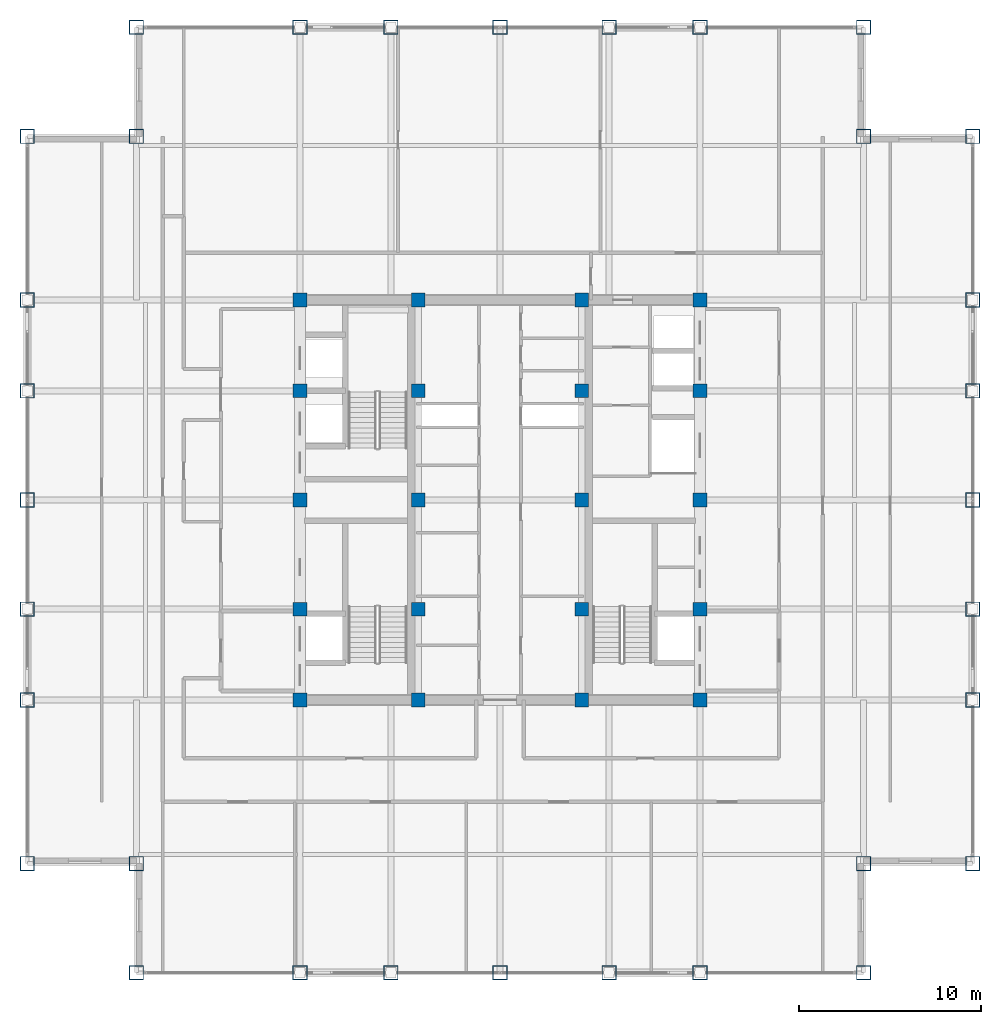
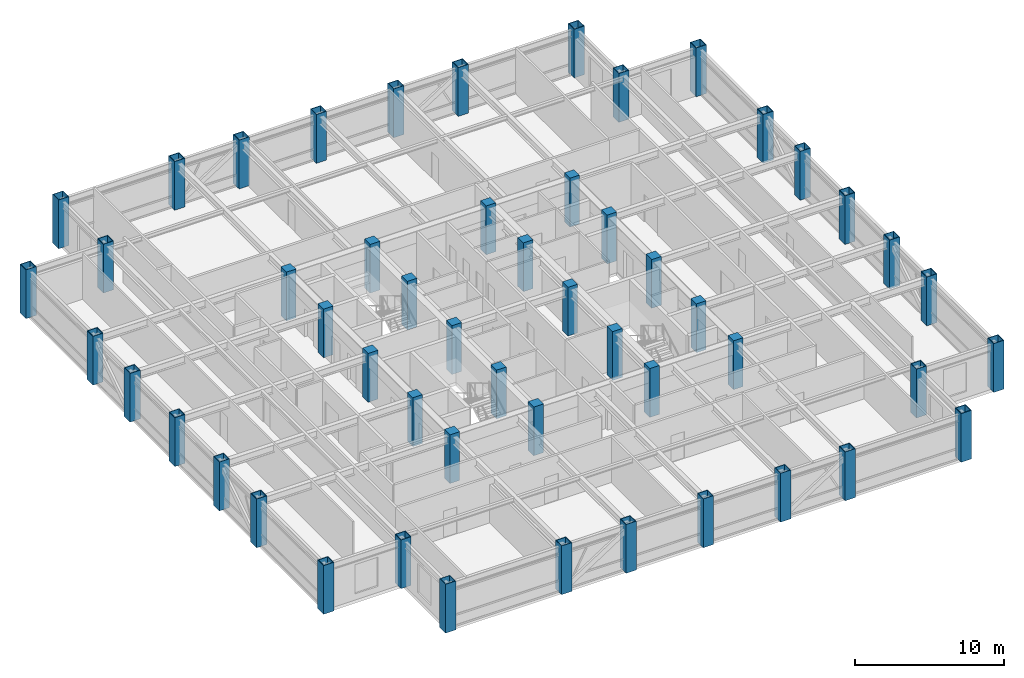
# One storey, part 1 of 28: 52 columns.
"""IFC4 building model written with IfcOpenShell, lengths in metres."""

from ifc_helpers import new_model, si_unit, direction, frame, origin, origin_2d, place, context, subcontext, project, spatial, rectangle, hollow_rectangle, extrude, source, transform, mapped, material, material_profile, profile_set, type_object, element, save


model = new_model("IFC4")

# Units and contexts
model_context = context("Model", 3, precision=1e-05, world=origin(), true_north=direction((0.0, 1.0)))
body_context = subcontext(model_context, "Body", "Model", "MODEL_VIEW")
ifc_project = project(units=[si_unit("LENGTHUNIT", "METRE"), si_unit("AREAUNIT", "SQUARE_METRE"), si_unit("VOLUMEUNIT", "CUBIC_METRE"), si_unit("PLANEANGLEUNIT", "RADIAN"), si_unit("MASSUNIT", "GRAM", prefix="KILO")], contexts=[model_context])

# Site, building, storey
site_placement = place(None, origin())
site = spatial("IfcSite", under=ifc_project, at=site_placement, CompositionType="ELEMENT")
building_placement = place(site_placement, origin())
building = spatial("IfcBuilding", under=site, at=building_placement, Name="Khorayat Bourse Tower", CompositionType="ELEMENT")
storey_placement = place(building_placement, frame((0.0, 0.0, 338.300048828125)))
storey = spatial("IfcBuildingStorey", under=building, at=storey_placement, Name="L80", CompositionType="ELEMENT", Elevation=338.300048828125)

# Columns
ifc_material_1 = material(Name="Concrete C52/65", Category="concrete")
ifc_material_profile_1 = material_profile(ifc_material_1, rectangle(XDim=0.75, YDim=0.75, at=origin_2d()), Name="RC 750x750")
ifc_profile_set_1 = profile_set([ifc_material_profile_1], Name="Concrete C52/65")
column_type_1 = type_object("IfcColumnType", Name="COL-CORE-750", PredefinedType="COLUMN", material=ifc_profile_set_1)
shared_shape_1 = source(origin(), body_context, "Body", "SweptSolid", [
    extrude(rectangle(XDim=0.75, YDim=0.75, at=origin_2d()), origin(), (0.0, 0.0, 1.0), 4.0),
])
for number, where, z_axis, x_axis, name in (
    (1, (-11.0, -11.0, 0.0), (0.0, 0.0, 1.0), (1.0, 0.0, 0.0), "L80 Column 013"),
    (2, (-11.0, -6.0, 0.0), (0.0, 0.0, 1.0), (1.0, 0.0, 0.0), "L80 Column 014"),
    (3, (-11.0, 0.0, 0.0), (0.0, 0.0, 1.0), (1.0, 0.0, 0.0), "L80 Column 015"),
    (4, (-11.0, 6.0, 0.0), (0.0, 0.0, 1.0), (1.0, 0.0, 0.0), "L80 Column 016"),
    (5, (-11.0, 11.0, 0.0), (0.0, 0.0, 1.0), (1.0, 0.0, 0.0), "L80 Column 017"),
    (6, (-4.5, -11.0, 0.0), (0.0, 0.0, 1.0), (1.0, 0.0, 0.0), "L80 Column 021"),
    (7, (-4.5, -6.0, 0.0), (0.0, 0.0, 1.0), (1.0, 0.0, 0.0), "L80 Column 022"),
    (8, (-4.5, 0.0, 0.0), (0.0, 0.0, 1.0), (1.0, 0.0, 0.0), "L80 Column 023"),
    (9, (-4.5, 6.0, 0.0), (0.0, 0.0, 1.0), (1.0, 0.0, 0.0), "L80 Column 024"),
    (10, (-4.5, 11.0, 0.0), (0.0, 0.0, 1.0), (1.0, 0.0, 0.0), "L80 Column 025"),
    (11, (4.5, -11.0, 0.0), (0.0, 0.0, 1.0), (1.0, 0.0, 0.0), "L80 Column 028"),
    (12, (4.5, -6.0, 0.0), (0.0, 0.0, 1.0), (1.0, 0.0, 0.0), "L80 Column 029"),
    (13, (4.5, 0.0, 0.0), (0.0, 0.0, 1.0), (1.0, 0.0, 0.0), "L80 Column 030"),
    (14, (4.5, 6.0, 0.0), (0.0, 0.0, 1.0), (1.0, 0.0, 0.0), "L80 Column 031"),
    (15, (4.5, 11.0, 0.0), (0.0, 0.0, 1.0), (1.0, 0.0, 0.0), "L80 Column 032"),
    (16, (11.0, -11.0, 0.0), (0.0, 0.0, 1.0), (1.0, 0.0, 0.0), "L80 Column 036"),
    (17, (11.0, -6.0, 0.0), (0.0, 0.0, 1.0), (1.0, 0.0, 0.0), "L80 Column 037"),
    (18, (11.0, 0.0, 0.0), (0.0, 0.0, 1.0), (1.0, 0.0, 0.0), "L80 Column 038"),
    (19, (11.0, 6.0, 0.0), (0.0, 0.0, 1.0), (1.0, 0.0, 0.0), "L80 Column 039"),
    (20, (11.0, 11.0, 0.0), (0.0, 0.0, 1.0), (1.0, 0.0, 0.0), "L80 Column 040"),
):
    element("IfcColumn", number, at=place(storey_placement, frame(where, z_axis=z_axis, x_axis=x_axis)), inside=storey, type_object=column_type_1, Name=name, PredefinedType="COLUMN", context=body_context, shape_type="MappedRepresentation", body=[
        mapped(shared_shape_1, transform((0.0, 0.0, 0.0), scale=1.0)),
    ])
ifc_material_2 = material(Name="Steel EN 10025-2 S355J2", Category="steel")
ifc_material_profile_2 = material_profile(ifc_material_2, hollow_rectangle(XDim=0.800048828125, YDim=0.800048828125, WallThickness=0.044921875, at=origin_2d()), Name="BOX 800x800x45")
ifc_profile_set_2 = profile_set([ifc_material_profile_2], Name="Steel EN 10025-2 S355J2")
column_type_2 = type_object("IfcColumnType", Name="COL-TUBE-800", PredefinedType="COLUMN", material=ifc_profile_set_2)
shared_shape_2 = source(origin(), body_context, "Body", "SweptSolid", [
    extrude(hollow_rectangle(XDim=0.800048828125, YDim=0.800048828125, WallThickness=0.044921875, at=origin_2d()), origin(), (0.0, 0.0, 1.0), 4.0),
])
for number, where, z_axis, x_axis, name in (
    (21, (-26.0, -20.0, 0.0), (0.0, 0.0, 1.0), (1.0, 0.0, 0.0), "L80 Column 001"),
    (22, (-26.0, -11.0, 0.0), (0.0, 0.0, 1.0), (1.0, 0.0, 0.0), "L80 Column 002"),
    (23, (-26.0, -6.0, 0.0), (0.0, 0.0, 1.0), (1.0, 0.0, 0.0), "L80 Column 003"),
    (24, (-26.0, 0.0, 0.0), (0.0, 0.0, 1.0), (1.0, 0.0, 0.0), "L80 Column 004"),
    (25, (-26.0, 6.0, 0.0), (0.0, 0.0, 1.0), (1.0, 0.0, 0.0), "L80 Column 005"),
    (26, (-26.0, 11.0, 0.0), (0.0, 0.0, 1.0), (1.0, 0.0, 0.0), "L80 Column 006"),
    (27, (-26.0, 20.0, 0.0), (0.0, 0.0, 1.0), (1.0, 0.0, 0.0), "L80 Column 007"),
    (28, (-20.0, -26.0, 0.0), (0.0, 0.0, 1.0), (1.0, 0.0, 0.0), "L80 Column 008"),
    (29, (-20.0, -20.0, 0.0), (0.0, 0.0, 1.0), (1.0, 0.0, 0.0), "L80 Column 009"),
    (30, (-20.0, 20.0, 0.0), (0.0, 0.0, 1.0), (1.0, 0.0, 0.0), "L80 Column 010"),
    (31, (-20.0, 26.0, 0.0), (0.0, 0.0, 1.0), (1.0, 0.0, 0.0), "L80 Column 011"),
    (32, (-11.0, -26.0, 0.0), (0.0, 0.0, 1.0), (1.0, 0.0, 0.0), "L80 Column 012"),
    (33, (-11.0, 26.0, 0.0), (0.0, 0.0, 1.0), (1.0, 0.0, 0.0), "L80 Column 018"),
    (34, (-6.0, -26.0, 0.0), (0.0, 0.0, 1.0), (1.0, 0.0, 0.0), "L80 Column 019"),
    (35, (-6.0, 26.0, 0.0), (0.0, 0.0, 1.0), (1.0, 0.0, 0.0), "L80 Column 020"),
    (36, (0.0, -26.0, 0.0), (0.0, 0.0, 1.0), (1.0, 0.0, 0.0), "L80 Column 026"),
    (37, (0.0, 26.0, 0.0), (0.0, 0.0, 1.0), (1.0, 0.0, 0.0), "L80 Column 027"),
    (38, (6.0, -26.0, 0.0), (0.0, 0.0, 1.0), (1.0, 0.0, 0.0), "L80 Column 033"),
    (39, (6.0, 26.0, 0.0), (0.0, 0.0, 1.0), (1.0, 0.0, 0.0), "L80 Column 034"),
    (40, (11.0, -26.0, 0.0), (0.0, 0.0, 1.0), (1.0, 0.0, 0.0), "L80 Column 035"),
    (41, (11.0, 26.0, 0.0), (0.0, 0.0, 1.0), (1.0, 0.0, 0.0), "L80 Column 041"),
    (42, (20.0, -26.0, 0.0), (0.0, 0.0, 1.0), (1.0, 0.0, 0.0), "L80 Column 042"),
    (43, (20.0, -20.0, 0.0), (0.0, 0.0, 1.0), (1.0, 0.0, 0.0), "L80 Column 043"),
    (44, (20.0, 20.0, 0.0), (0.0, 0.0, 1.0), (1.0, 0.0, 0.0), "L80 Column 044"),
    (45, (20.0, 26.0, 0.0), (0.0, 0.0, 1.0), (1.0, 0.0, 0.0), "L80 Column 045"),
    (46, (26.0, -20.0, 0.0), (0.0, 0.0, 1.0), (1.0, 0.0, 0.0), "L80 Column 046"),
    (47, (26.0, -11.0, 0.0), (0.0, 0.0, 1.0), (1.0, 0.0, 0.0), "L80 Column 047"),
    (48, (26.0, -6.0, 0.0), (0.0, 0.0, 1.0), (1.0, 0.0, 0.0), "L80 Column 048"),
    (49, (26.0, 0.0, 0.0), (0.0, 0.0, 1.0), (1.0, 0.0, 0.0), "L80 Column 049"),
    (50, (26.0, 6.0, 0.0), (0.0, 0.0, 1.0), (1.0, 0.0, 0.0), "L80 Column 050"),
    (51, (26.0, 11.0, 0.0), (0.0, 0.0, 1.0), (1.0, 0.0, 0.0), "L80 Column 051"),
    (52, (26.0, 20.0, 0.0), (0.0, 0.0, 1.0), (1.0, 0.0, 0.0), "L80 Column 052"),
):
    element("IfcColumn", number, at=place(storey_placement, frame(where, z_axis=z_axis, x_axis=x_axis)), inside=storey, type_object=column_type_2, Name=name, PredefinedType="COLUMN", context=body_context, shape_type="MappedRepresentation", body=[
        mapped(shared_shape_2, transform((0.0, 0.0, 0.0), scale=1.0)),
    ])

save(model, "model.ifc")
